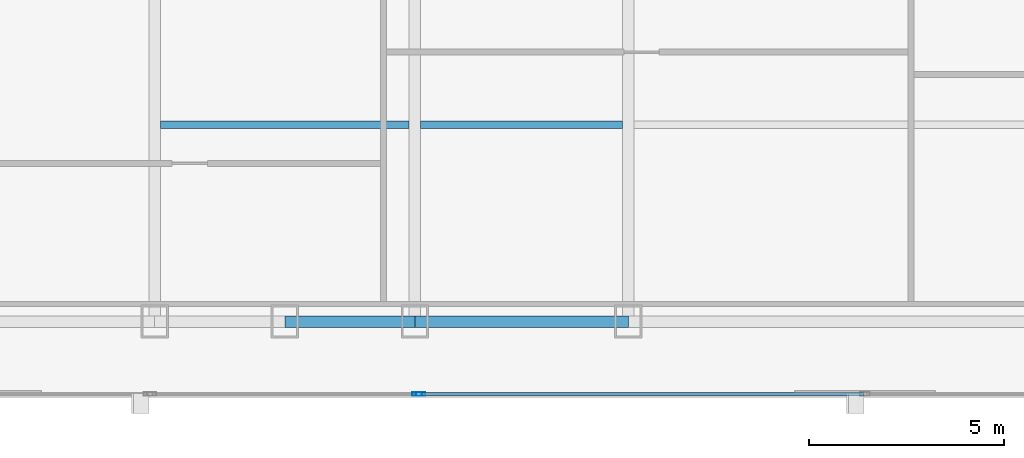
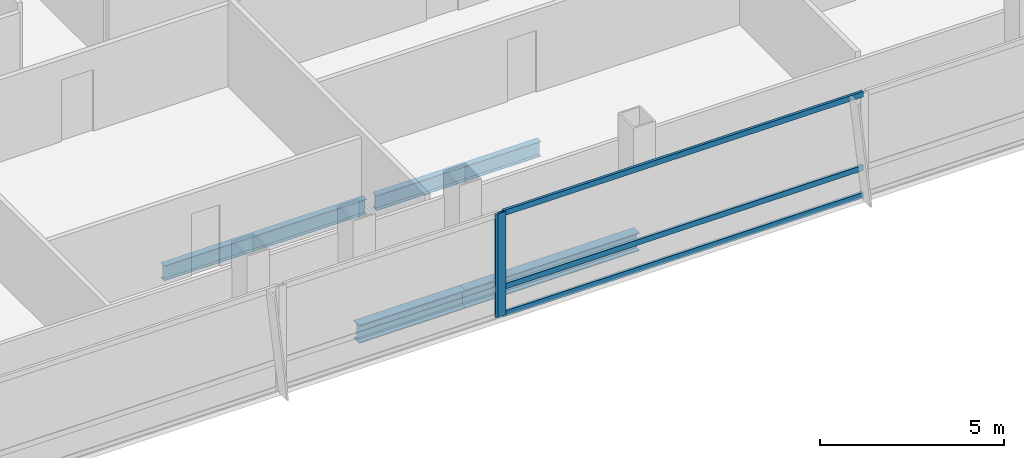
# One storey, part 8 of 29: 5 members, 4 beams, 2 elements without a shape of their own.
"""IFC4 building model written with IfcOpenShell, lengths in metres."""

from ifc_helpers import new_model, si_unit, direction, frame, origin, origin_2d, place, context, subcontext, project, spatial, hollow_rectangle, i_section, extrude, material, material_profile, profile_set, type_object, element, aggregate, save


model = new_model("IFC4")

# Units and contexts
model_context = context("Model", 3, precision=1e-05, world=origin(), true_north=direction((0.0, 1.0)))
body_context = subcontext(model_context, "Body", "Model", "MODEL_VIEW")
ifc_project = project(units=[si_unit("LENGTHUNIT", "METRE"), si_unit("AREAUNIT", "SQUARE_METRE"), si_unit("VOLUMEUNIT", "CUBIC_METRE"), si_unit("PLANEANGLEUNIT", "RADIAN"), si_unit("MASSUNIT", "GRAM", prefix="KILO")], contexts=[model_context])

# Site, building, storey
site_placement = place(None, origin())
site = spatial("IfcSite", under=ifc_project, at=site_placement, CompositionType="ELEMENT")
building_placement = place(site_placement, origin())
building = spatial("IfcBuilding", under=site, at=building_placement, Name="Khoronbel Lancet Exchange", CompositionType="ELEMENT")
storey_placement = place(building_placement, frame((0.0, 0.0, 161.39990234375)))
storey = spatial("IfcBuildingStorey", under=building, at=storey_placement, Name="L40", CompositionType="ELEMENT", Elevation=161.39990234375)

# Beams
ifc_material_1 = material(Name="Steel S355", Category="steel")
ifc_material_profile_1 = material_profile(ifc_material_1, i_section(OverallWidth=0.199951171875, OverallDepth=0.5, WebThickness=0.01025390625, FlangeThickness=0.01611328125, at=origin_2d()), Name="IPE 500")
ifc_profile_set_1 = profile_set([ifc_material_profile_1], Name="Steel S355")
beam_type_1 = type_object("IfcBeamType", Name="BM-BJ3", PredefinedType="JOIST", material=ifc_profile_set_1)
beam_1_placement = place(storey_placement, frame((18.375, 15.199951171875, -0.409912109375), z_axis=(1.0, 0.0, 0.0), x_axis=(0.0, 1.0, 0.0)))
element("IfcBeam", 1, at=beam_1_placement, inside=storey, type_object=beam_type_1, Name="Level L40 secondary composite joist J01", PredefinedType="JOIST", context=body_context, shape_type="SweptSolid", body=[
    extrude(i_section(OverallWidth=0.199951171875, OverallDepth=0.5, WebThickness=0.01025390625, FlangeThickness=0.01611328125, at=origin_2d()), origin(), (0.0, 0.0, 1.0), 6.375),
])
beam_2_placement = place(storey_placement, frame((25.050048828125, 15.199951171875, -0.409912109375), z_axis=(1.0, 0.0, 0.0), x_axis=(0.0, 1.0, 0.0)))
element("IfcBeam", 2, at=beam_2_placement, inside=storey, type_object=beam_type_1, Name="Level L40 secondary composite joist J02", PredefinedType="JOIST", context=body_context, shape_type="SweptSolid", body=[
    extrude(i_section(OverallWidth=0.199951171875, OverallDepth=0.5, WebThickness=0.01025390625, FlangeThickness=0.01611328125, at=origin_2d()), origin(), (0.0, 0.0, 1.0), 5.175048828125),
])
ifc_material_profile_2 = material_profile(ifc_material_1, i_section(OverallWidth=0.300048828125, OverallDepth=0.60009765625, WebThickness=0.015380859375, FlangeThickness=0.030029296875, at=origin_2d()), Name="HEB 600")
ifc_profile_set_2 = profile_set([ifc_material_profile_2], Name="Steel S355")
beam_type_2 = type_object("IfcBeamType", Name="BM-BSP2", PredefinedType="SPANDREL", material=ifc_profile_set_2)
beam_3_placement = place(storey_placement, frame((21.5625, 10.14990234375, -0.4599609375), z_axis=(1.0, 0.0, 0.0), x_axis=(0.0, 1.0, 0.0)))
element("IfcBeam", 3, at=beam_3_placement, inside=storey, type_object=beam_type_2, Name="Level L40 perimeter spandrel beam SP03", PredefinedType="SPANDREL", context=body_context, shape_type="SweptSolid", body=[
    extrude(i_section(OverallWidth=0.300048828125, OverallDepth=0.60009765625, WebThickness=0.015380859375, FlangeThickness=0.030029296875, at=origin_2d()), origin(), (0.0, 0.0, 1.0), 3.33740234375),
])
beam_4_placement = place(storey_placement, frame((24.89990234375, 10.14990234375, -0.4599609375), z_axis=(1.0, 0.0, 0.0), x_axis=(0.0, 1.0, 0.0)))
element("IfcBeam", 4, at=beam_4_placement, inside=storey, type_object=beam_type_2, Name="Level L40 perimeter spandrel beam SP04", PredefinedType="SPANDREL", context=body_context, shape_type="SweptSolid", body=[
    extrude(i_section(OverallWidth=0.300048828125, OverallDepth=0.60009765625, WebThickness=0.015380859375, FlangeThickness=0.030029296875, at=origin_2d()), origin(), (0.0, 0.0, 1.0), 5.47509765625),
])

# Curtain wall, member
ifc_material_2 = material(Name="Low-E Solar Control Insulating Glass", Category="glass")
curtain_wall_type = type_object("IfcCurtainWallType", Name="CW-3", PredefinedType="NOTDEFINED", material=ifc_material_2)
curtain_wall_1_placement = place(storey_placement, origin())
curtain_wall_1 = element("IfcCurtainWall", 5, at=curtain_wall_1_placement, inside=storey, type_object=curtain_wall_type, Name="Unitised curtain wall CW-L40-SWB", PredefinedType="NOTDEFINED")
ifc_material_3 = material(Name="Bronze-Anodised Aluminium 6063-T6", Category="aluminium")
ifc_material_profile_3 = material_profile(ifc_material_3, hollow_rectangle(XDim=0.0849609375, YDim=0.239990234375, WallThickness=0.006103515625, at=origin_2d()), Name="ALU MULLION 85x240")
ifc_profile_set_3 = profile_set([ifc_material_profile_3], Name="Bronze-Anodised Aluminium 6063-T6")
member_type_1 = type_object("IfcMemberType", Name="MEM-CWM1", PredefinedType="MULLION", material=ifc_profile_set_3)
member_1_placement = place(storey_placement, frame((24.95751953125, 8.2900390625, 0.0), z_axis=(0.0, 0.0, 1.0), x_axis=(0.0, 1.0, 0.0)))
member_1 = element("IfcMember", 6, at=member_1_placement, type_object=member_type_1, Name="CW3 mullion 2", PredefinedType="MULLION", context=body_context, shape_type="SweptSolid", body=[
    extrude(hollow_rectangle(XDim=0.0849609375, YDim=0.239990234375, WallThickness=0.006103515625, at=origin_2d()), origin(), (0.0, 0.0, 1.0), 3.440185546875),
])
aggregate(curtain_wall_1, [member_1])

# Curtain wall, members
curtain_wall_2_placement = place(storey_placement, origin())
curtain_wall_2 = element("IfcCurtainWall", 7, at=curtain_wall_2_placement, inside=storey, type_object=curtain_wall_type, Name="Unitised curtain wall CW-L40-SCV", PredefinedType="NOTDEFINED")
member_2_placement = place(storey_placement, frame((25.04248046875, 8.2900390625, 0.0), z_axis=(0.0, 0.0, 1.0), x_axis=(0.0, 1.0, 0.0)))
member_2 = element("IfcMember", 8, at=member_2_placement, type_object=member_type_1, Name="CW3 mullion 1", PredefinedType="MULLION", context=body_context, shape_type="SweptSolid", body=[
    extrude(hollow_rectangle(XDim=0.0849609375, YDim=0.239990234375, WallThickness=0.006103515625, at=origin_2d()), origin(), (0.0, 0.0, 1.0), 3.440185546875),
])
ifc_material_profile_4 = material_profile(ifc_material_3, hollow_rectangle(XDim=0.0849609375, YDim=0.179931640625, WallThickness=0.0048828125, at=origin_2d()), Name="ALU TRANSOM 85x180")
ifc_profile_set_4 = profile_set([ifc_material_profile_4], Name="Bronze-Anodised Aluminium 6063-T6")
member_type_2 = type_object("IfcMemberType", Name="MEM-CWT1", PredefinedType="USERDEFINED", material=ifc_profile_set_4)
member_3_placement = place(storey_placement, frame((25.0849609375, 8.2900390625, 0.04248046875), z_axis=(1.0, 0.0, 0.0), x_axis=(0.0, 1.0, 0.0)))
member_3 = element("IfcMember", 9, at=member_3_placement, type_object=member_type_2, Name="CW3 transom 1.1", ObjectType="TRANSOM", PredefinedType="USERDEFINED", context=body_context, shape_type="SweptSolid", body=[
    extrude(hollow_rectangle(XDim=0.0849609375, YDim=0.179931640625, WallThickness=0.0048828125, at=origin_2d()), origin(), (0.0, 0.0, 1.0), 11.322509765625),
])
member_4_placement = place(storey_placement, frame((25.0849609375, 8.2900390625, 0.9501953125), z_axis=(1.0, 0.0, 0.0), x_axis=(0.0, 1.0, 0.0)))
member_4 = element("IfcMember", 10, at=member_4_placement, type_object=member_type_2, Name="CW3 transom 1.2", ObjectType="TRANSOM", PredefinedType="USERDEFINED", context=body_context, shape_type="SweptSolid", body=[
    extrude(hollow_rectangle(XDim=0.0849609375, YDim=0.179931640625, WallThickness=0.0048828125, at=origin_2d()), origin(), (0.0, 0.0, 1.0), 11.322509765625),
])
member_5_placement = place(storey_placement, frame((25.0849609375, 8.2900390625, 3.397705078125), z_axis=(1.0, 0.0, 0.0), x_axis=(0.0, 1.0, 0.0)))
member_5 = element("IfcMember", 11, at=member_5_placement, type_object=member_type_2, Name="CW3 transom 1.3", ObjectType="TRANSOM", PredefinedType="USERDEFINED", context=body_context, shape_type="SweptSolid", body=[
    extrude(hollow_rectangle(XDim=0.0849609375, YDim=0.179931640625, WallThickness=0.0048828125, at=origin_2d()), origin(), (0.0, 0.0, 1.0), 11.322509765625),
])
aggregate(curtain_wall_2, [member_2, member_3, member_4, member_5])

save(model, "model.ifc")
